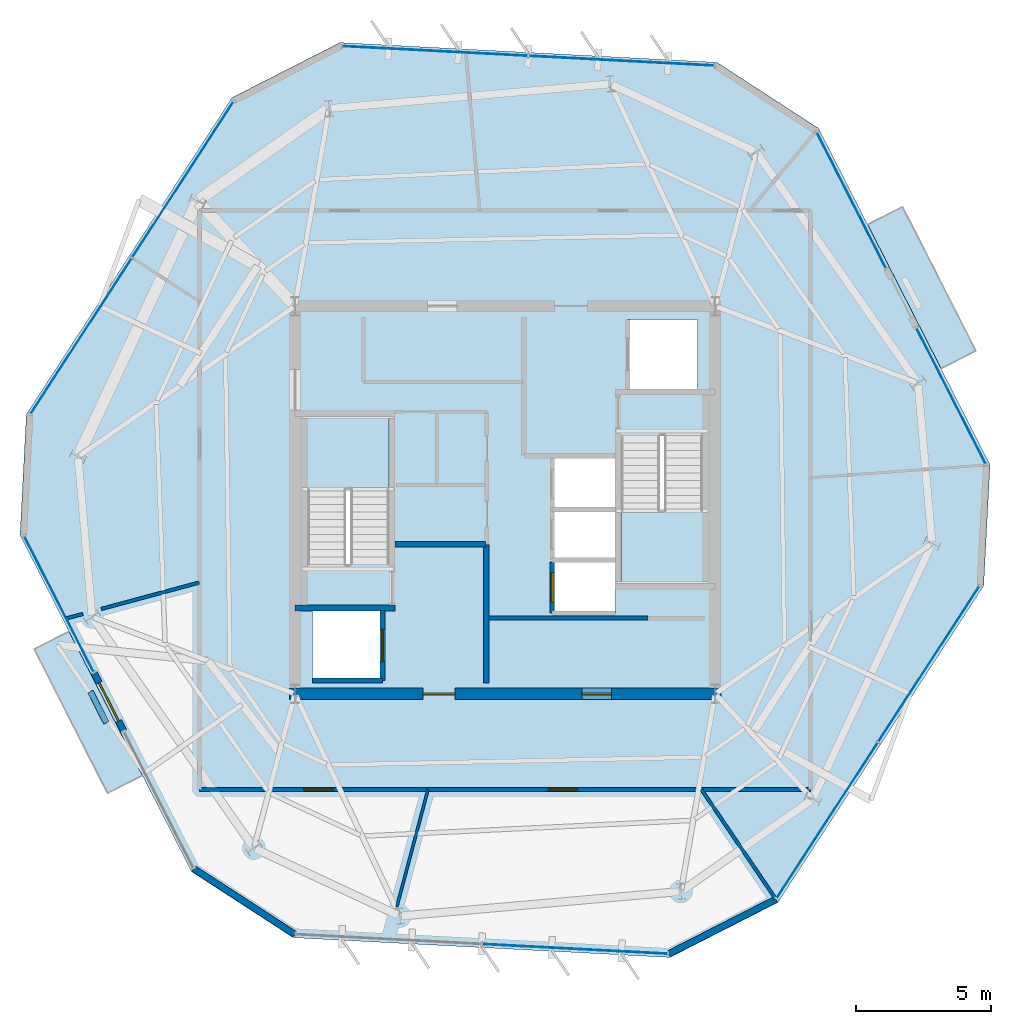
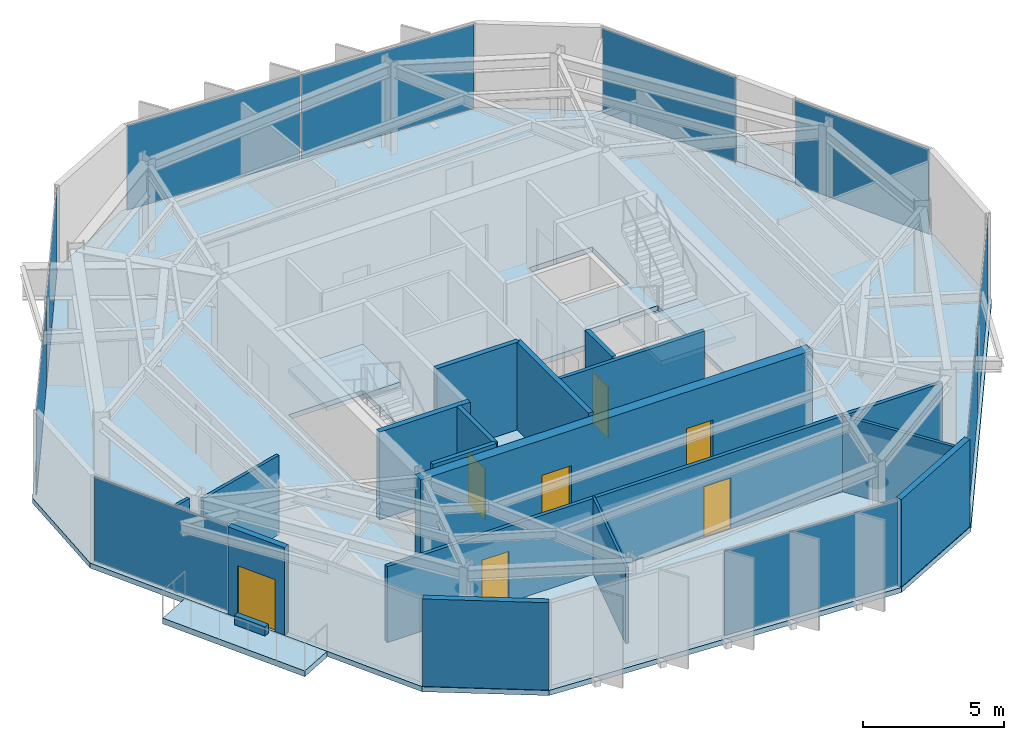
# One storey, part 7 of 11: 17 walls, 10 plates, 7 doors, 5 slabs, 7 openings, 9 elements without a shape of their own.
"""IFC4 building model written with IfcOpenShell, lengths in metres."""

from ifc_helpers import new_model, si_unit, direction, frame, frame_2d, origin, origin_2d, place, context, subcontext, project, spatial, polyline, rectangle, outline, extrude, material, layer, layer_set, type_object, element, fill, aggregate, save


model = new_model("IFC4")

# Units and contexts
model_context = context("Model", 3, precision=1e-05, world=origin(), true_north=direction((0.0, 1.0)))
body_context = subcontext(model_context, "Body", "Model", "MODEL_VIEW")
ifc_project = project(units=[si_unit("LENGTHUNIT", "METRE"), si_unit("AREAUNIT", "SQUARE_METRE"), si_unit("VOLUMEUNIT", "CUBIC_METRE"), si_unit("PLANEANGLEUNIT", "RADIAN"), si_unit("MASSUNIT", "GRAM", prefix="KILO")], contexts=[model_context])

# Site, building, storey
site_placement = place(None, origin())
site = spatial("IfcSite", under=ifc_project, at=site_placement, CompositionType="ELEMENT")
building_placement = place(site_placement, origin())
building = spatial("IfcBuilding", under=site, at=building_placement, Name="Kranzbogen Civic Tower", CompositionType="ELEMENT")
storey_placement = place(building_placement, frame((0.0, 0.0, 254.199951171875)))
storey = spatial("IfcBuildingStorey", under=building, at=storey_placement, Name="L61", CompositionType="ELEMENT", Elevation=254.199951171875)

# Slab
ifc_material_1 = material(Name="Concrete C40/50", Category="concrete")
ifc_layer_1 = layer(ifc_material_1, 0.219970703125, Name="Concrete C40/50")
ifc_layer_set_1 = layer_set([ifc_layer_1], Name="Concrete C40/50")
slab_type_1 = type_object("IfcSlabType", Name="Composite Upper Tower Floor Slab 220 mm", PredefinedType="FLOOR", material=ifc_layer_set_1)
slab_1_placement = place(storey_placement, frame((0.0, 0.0, -0.219970703125)))
element("IfcSlab", 1, at=slab_1_placement, inside=storey, type_object=slab_type_1, Name="L61 tower floor slab", PredefinedType="FLOOR", context=body_context, shape_type="SweptSolid", body=[
    extrude(outline(polyline([(32.87109375, 41.251953125), (18.87109375, 41.986083984375), (14.861083984375, 39.943115234375), (7.22509765625, 28.18505859375), (6.989990234375, 23.69091796875), (13.35498046875, 11.198974609375), (17.12890625, 8.748046875), (31.12890625, 8.013916015625), (35.138916015625, 10.056884765625), (42.77490234375, 21.81494140625), (43.010009765625, 26.30908203125), (36.64501953125, 38.801025390625), (32.87109375, 41.251953125)]), holes=[polyline([(17.85009765625, 20.89990234375), (20.449951171875, 20.89990234375), (20.449951171875, 18.300048828125), (17.85009765625, 18.300048828125), (17.85009765625, 20.89990234375)]), polyline([(29.10009765625, 22.699951171875), (29.10009765625, 20.800048828125), (26.75, 20.800048828125), (26.75, 22.699951171875), (29.10009765625, 22.699951171875)]), polyline([(29.10009765625, 24.64990234375), (29.10009765625, 22.77490234375), (26.75, 22.77490234375), (26.75, 24.64990234375), (26.75, 24.675048828125), (26.75, 26.550048828125), (29.10009765625, 26.550048828125), (29.10009765625, 24.675048828125), (29.10009765625, 24.64990234375)]), polyline([(29.300048828125, 27.340087890625), (30.75, 27.340087890625), (30.75, 27.39990234375), (32.35009765625, 27.39990234375), (32.35009765625, 21.89990234375), (29.300048828125, 21.89990234375), (29.300048828125, 27.340087890625)]), polyline([(20.699951171875, 22.659912109375), (19.25, 22.659912109375), (19.25, 22.60009765625), (17.64990234375, 22.60009765625), (17.64990234375, 28.10009765625), (20.699951171875, 28.10009765625), (20.699951171875, 22.659912109375)]), polyline([(32.14990234375, 31.699951171875), (32.14990234375, 29.10009765625), (29.550048828125, 29.10009765625), (29.550048828125, 31.699951171875), (32.14990234375, 31.699951171875)])]), origin(), (0.0, 0.0, 1.0), 0.219970703125),
])

# Curtain wall, plates
ifc_material_2 = material(Name="Pale Anodised Aluminium", Category="aluminium")
ifc_layer_2 = layer(ifc_material_2, 0.219970703125, Name="Pale Anodised Aluminium")
ifc_layer_set_2 = layer_set([ifc_layer_2], Name="Pale Anodised Aluminium")
curtain_wall_type = type_object("IfcCurtainWallType", Name="Zone 4 Stick Curtain Wall System CW-05", PredefinedType="USERDEFINED", material=ifc_layer_set_2)
curtain_wall_1_placement = place(storey_placement, origin())
curtain_wall_1 = element("IfcCurtainWall", 2, at=curtain_wall_1_placement, inside=storey, type_object=curtain_wall_type, Name="L61 curtain wall CW-L61-F1", ObjectType="STICK CURTAIN WALL", PredefinedType="USERDEFINED")
ifc_material_3 = material(Name="Low-E Triple Glazing Glass", Category="glass")
ifc_layer_3 = layer(ifc_material_3, 0.028076171875, Name="Low-E Triple Glazing Glass")
ifc_layer_set_3 = layer_set([ifc_layer_3], Name="Low-E Triple Glazing Glass")
plate_type = type_object("IfcPlateType", Name="Insulated Low-E Glazing Panel 28 mm", PredefinedType="CURTAIN_PANEL", material=ifc_layer_set_3)
plate_1_placement = place(storey_placement, frame((29.322265625, 41.308837890625, 0.06005859375), z_axis=(0.0, 0.0, 1.0), x_axis=(-0.998629521461, 0.052336209893, 0.0)))
plate_1 = element("IfcPlate", 3, at=plate_1_placement, type_object=plate_type, Name="CW-05 panel 1.1", PredefinedType="CURTAIN_PANEL", context=body_context, shape_type="SweptSolid", body=[
    extrude(rectangle(XDim=6.864990234375, YDim=0.028076171875, at=origin_2d()), origin(), (0.0, 0.0, 1.0), 3.659912109375),
])
plate_2_placement = place(storey_placement, frame((22.40673828125, 41.671142578125, 0.06005859375), z_axis=(0.0, 0.0, 1.0), x_axis=(-0.998629521461, 0.052336209893, 0.0)))
plate_2 = element("IfcPlate", 4, at=plate_2_placement, type_object=plate_type, Name="CW-05 panel 2.1", PredefinedType="CURTAIN_PANEL", context=body_context, shape_type="SweptSolid", body=[
    extrude(rectangle(XDim=6.864990234375, YDim=0.028076171875, at=origin_2d()), origin(), (0.0, 0.0, 1.0), 3.659912109375),
])
aggregate(curtain_wall_1, [plate_1, plate_2])

curtain_wall_2_placement = place(storey_placement, origin())
curtain_wall_2 = element("IfcCurtainWall", 5, at=curtain_wall_2_placement, inside=storey, type_object=curtain_wall_type, Name="L61 curtain wall CW-L61-F2", ObjectType="STICK CURTAIN WALL", PredefinedType="USERDEFINED")
plate_3_placement = place(storey_placement, frame((13.03759765625, 36.897705078125, 0.06005859375), z_axis=(0.0, 0.0, 1.0), x_axis=(-0.544657317977, -0.838658694568, 0.0)))
plate_3 = element("IfcPlate", 6, at=plate_3_placement, type_object=plate_type, Name="CW-05 panel 1.1", PredefinedType="CURTAIN_PANEL", context=body_context, shape_type="SweptSolid", body=[
    extrude(rectangle(XDim=6.86572265625, YDim=0.028076171875, at=origin_2d()), origin(), (0.0, 0.0, 1.0), 3.659912109375),
])
plate_4_placement = place(storey_placement, frame((9.265380859375, 31.08935546875, 0.06005859375), z_axis=(0.0, 0.0, 1.0), x_axis=(-0.544657317977, -0.838658694568, 0.0)))
plate_4 = element("IfcPlate", 7, at=plate_4_placement, type_object=plate_type, Name="CW-05 panel 2.1", PredefinedType="CURTAIN_PANEL", context=body_context, shape_type="SweptSolid", body=[
    extrude(rectangle(XDim=6.86572265625, YDim=0.028076171875, at=origin_2d()), origin(), (0.0, 0.0, 1.0), 3.659912109375),
])
aggregate(curtain_wall_2, [plate_3, plate_4])

# Curtain wall, plate
curtain_wall_3_placement = place(storey_placement, origin())
curtain_wall_3 = element("IfcCurtainWall", 8, at=curtain_wall_3_placement, inside=storey, type_object=curtain_wall_type, Name="L61 curtain wall CW-L61-F3-S1", ObjectType="STICK CURTAIN WALL", PredefinedType="USERDEFINED")
plate_5_placement = place(storey_placement, frame((8.4365234375, 21.136962890625, 0.06005859375), z_axis=(0.0, 0.0, 1.0), x_axis=(0.454011672668, -0.890995735726, 0.0)))
plate_5 = element("IfcPlate", 9, at=plate_5_placement, type_object=plate_type, Name="CW-05 panel 1.1", PredefinedType="CURTAIN_PANEL", context=body_context, shape_type="SweptSolid", body=[
    extrude(rectangle(XDim=5.63525390625, YDim=0.028076171875, at=origin_2d()), origin(), (0.0, 0.0, 1.0), 3.659912109375),
])
aggregate(curtain_wall_3, [plate_5])

curtain_wall_4_placement = place(storey_placement, origin())
curtain_wall_4 = element("IfcCurtainWall", 10, at=curtain_wall_4_placement, inside=storey, type_object=curtain_wall_type, Name="L61 curtain wall CW-L61-F4", ObjectType="STICK CURTAIN WALL", PredefinedType="USERDEFINED")
plate_6_placement = place(storey_placement, frame((27.59326171875, 8.328857421875, 0.06005859375), z_axis=(0.0, 0.0, 1.0), x_axis=(0.998629521461, -0.052336209893, 0.0)))
plate_6 = element("IfcPlate", 11, at=plate_6_placement, type_object=plate_type, Name="CW-05 panel 2.1", PredefinedType="CURTAIN_PANEL", context=body_context, shape_type="SweptSolid", body=[
    extrude(rectangle(XDim=6.864990234375, YDim=0.028076171875, at=origin_2d()), origin(), (0.0, 0.0, 1.0), 3.659912109375),
])
aggregate(curtain_wall_4, [plate_6])

# Curtain wall, plates
curtain_wall_5_placement = place(storey_placement, origin())
curtain_wall_5 = element("IfcCurtainWall", 12, at=curtain_wall_5_placement, inside=storey, type_object=curtain_wall_type, Name="L61 curtain wall CW-L61-F5", ObjectType="STICK CURTAIN WALL", PredefinedType="USERDEFINED")
plate_7_placement = place(storey_placement, frame((36.96240234375, 13.102294921875, 0.06005859375), z_axis=(0.0, 0.0, 1.0), x_axis=(0.544657317977, 0.838658694568, 0.0)))
plate_7 = element("IfcPlate", 13, at=plate_7_placement, type_object=plate_type, Name="CW-05 panel 1.1", PredefinedType="CURTAIN_PANEL", context=body_context, shape_type="SweptSolid", body=[
    extrude(rectangle(XDim=6.86572265625, YDim=0.028076171875, at=origin_2d()), origin(), (0.0, 0.0, 1.0), 3.659912109375),
])
plate_8_placement = place(storey_placement, frame((40.734619140625, 18.91064453125, 0.06005859375), z_axis=(0.0, 0.0, 1.0), x_axis=(0.544657317977, 0.838658694568, 0.0)))
plate_8 = element("IfcPlate", 14, at=plate_8_placement, type_object=plate_type, Name="CW-05 panel 2.1", PredefinedType="CURTAIN_PANEL", context=body_context, shape_type="SweptSolid", body=[
    extrude(rectangle(XDim=6.86572265625, YDim=0.028076171875, at=origin_2d()), origin(), (0.0, 0.0, 1.0), 3.659912109375),
])
aggregate(curtain_wall_5, [plate_7, plate_8])

# Curtain wall, plate
curtain_wall_6_placement = place(storey_placement, origin())
curtain_wall_6 = element("IfcCurtainWall", 15, at=curtain_wall_6_placement, inside=storey, type_object=curtain_wall_type, Name="L61 curtain wall CW-L61-F6-S1", ObjectType="STICK CURTAIN WALL", PredefinedType="USERDEFINED")
plate_9_placement = place(storey_placement, frame((41.5634765625, 28.863037109375, 0.06005859375), z_axis=(0.0, 0.0, 1.0), x_axis=(-0.454011672668, 0.890995735726, 0.0)))
plate_9 = element("IfcPlate", 16, at=plate_9_placement, type_object=plate_type, Name="CW-05 panel 1.1", PredefinedType="CURTAIN_PANEL", context=body_context, shape_type="SweptSolid", body=[
    extrude(rectangle(XDim=5.63525390625, YDim=0.028076171875, at=origin_2d()), origin(), (0.0, 0.0, 1.0), 3.659912109375),
])
aggregate(curtain_wall_6, [plate_9])

curtain_wall_7_placement = place(storey_placement, origin())
curtain_wall_7 = element("IfcCurtainWall", 17, at=curtain_wall_7_placement, inside=storey, type_object=curtain_wall_type, Name="L61 curtain wall CW-L61-F6-S2", ObjectType="STICK CURTAIN WALL", PredefinedType="USERDEFINED")
plate_10_placement = place(storey_placement, frame((37.861572265625, 36.12939453125, 0.06005859375), z_axis=(0.0, 0.0, 1.0), x_axis=(-0.453941395905, 0.891031542138, 0.0)))
plate_10 = element("IfcPlate", 18, at=plate_10_placement, type_object=plate_type, Name="CW-05 panel 1.1", PredefinedType="CURTAIN_PANEL", context=body_context, shape_type="SweptSolid", body=[
    extrude(rectangle(XDim=5.63623046875, YDim=0.028076171875, at=origin_2d()), origin(), (0.0, 0.0, 1.0), 3.659912109375),
])
aggregate(curtain_wall_7, [plate_10])

# Stair, slab
ifc_material_4 = material(Name="Precast concrete C40/50", Category="concrete")
stair_type_1 = type_object("IfcStairType", Name="Tower Core Pressurized Dogleg Stair 1450", PredefinedType="HALF_TURN_STAIR", material=ifc_material_4)
stair_1_placement = place(storey_placement, origin())
stair_1 = element("IfcStair", 19, at=stair_1_placement, inside=storey, type_object=stair_type_1, Name="L61 Tower Core Pressurized Stair 1", PredefinedType="HALF_TURN_STAIR")
ifc_layer_4 = layer(ifc_material_4, 0.199951171875, Name="Precast concrete C40/50")
ifc_layer_set_4 = layer_set([ifc_layer_4], Name="Precast concrete C40/50")
slab_type_2 = type_object("IfcSlabType", Name="Precast Concrete Stair Landing Slab 200 mm", PredefinedType="LANDING", material=ifc_layer_set_4)
slab_2_placement = place(storey_placement, frame((0.0, 0.0, 1.800048828125)))
slab_2 = element("IfcSlab", 20, at=slab_2_placement, type_object=slab_type_2, Name="ST-T1 landing 1", PredefinedType="LANDING", context=body_context, shape_type="SweptSolid", body=[
    extrude(outline(polyline([(20.699951171875, 25.39990234375), (20.699951171875, 28.10009765625), (17.64990234375, 28.10009765625), (17.64990234375, 25.39990234375), (20.699951171875, 25.39990234375)])), origin(), (0.0, 0.0, 1.0), 0.199951171875),
])
aggregate(stair_1, [slab_2])

stair_type_2 = type_object("IfcStairType", Name="Tower Core Secondary Dogleg Stair 1450", PredefinedType="HALF_TURN_STAIR", material=ifc_material_4)
stair_2_placement = place(storey_placement, origin())
stair_2 = element("IfcStair", 21, at=stair_2_placement, inside=storey, type_object=stair_type_2, Name="L61 Tower Core Pressurized Stair 2", PredefinedType="HALF_TURN_STAIR")
slab_3_placement = place(storey_placement, frame((0.0, 0.0, 1.800048828125)))
slab_3 = element("IfcSlab", 22, at=slab_3_placement, type_object=slab_type_2, Name="ST-T2 landing 1", PredefinedType="LANDING", context=body_context, shape_type="SweptSolid", body=[
    extrude(outline(polyline([(29.300048828125, 24.60009765625), (29.300048828125, 21.89990234375), (32.35009765625, 21.89990234375), (32.35009765625, 24.60009765625), (29.300048828125, 24.60009765625)])), origin(), (0.0, 0.0, 1.0), 0.199951171875),
])
aggregate(stair_2, [slab_3])

# Slabs
ifc_layer_5 = layer(ifc_material_1, 0.25, Name="Concrete C40/50")
ifc_layer_set_5 = layer_set([ifc_layer_5], Name="Concrete C40/50")
slab_type_3 = type_object("IfcSlabType", Name="Tree Balcony Cantilevered Slab 250 mm", PredefinedType="FLOOR", material=ifc_layer_set_5)
slab_4_placement = place(storey_placement, frame((0.0, 0.0, -0.25)))
element("IfcSlab", 23, at=slab_4_placement, inside=storey, type_object=slab_type_3, Name="L61 cantilevered tree balcony L61-TB1", PredefinedType="FLOOR", context=body_context, shape_type="SweptSolid", body=[
    extrude(outline(polyline([(8.81005859375, 20.117919921875), (11.533935546875, 14.77197265625), (10.241943359375, 14.114013671875), (7.51806640625, 19.4599609375), (8.81005859375, 20.117919921875)])), origin(), (0.0, 0.0, 1.0), 0.25),
])
slab_5_placement = place(storey_placement, frame((0.0, 0.0, -0.25)))
element("IfcSlab", 24, at=slab_5_placement, inside=storey, type_object=slab_type_3, Name="L61 cantilevered tree balcony L61-TB2", PredefinedType="FLOOR", context=body_context, shape_type="SweptSolid", body=[
    extrude(outline(polyline([(41.18994140625, 29.882080078125), (38.466064453125, 35.22802734375), (39.758056640625, 35.885986328125), (42.48193359375, 30.5400390625), (41.18994140625, 29.882080078125)])), origin(), (0.0, 0.0, 1.0), 0.25),
])

# Wall
ifc_material_5 = material(Name="Double-Stud Acoustic Gypsum Partition")
ifc_layer_6 = layer(ifc_material_5, 0.14990234375, Name="Double-Stud Acoustic Gypsum Partition")
ifc_layer_set_6 = layer_set([ifc_layer_6], Name="Double-Stud Acoustic Gypsum Partition")
wall_type_1 = type_object("IfcWallType", Name="Acoustic Corridor and Clinical Partition 150 mm", PredefinedType="PARTITIONING", material=ifc_layer_set_6)
wall_1_placement = place(storey_placement, frame((24.39990234375, 20.610107421875, 0.0), z_axis=(0.0, 0.0, 1.0), x_axis=(1.0, 0.0, 0.0)))
element("IfcWall", 25, at=wall_1_placement, inside=storey, type_object=wall_type_1, Name="L61 records zone North wall", PredefinedType="PARTITIONING", context=body_context, shape_type="SweptSolid", body=[
    extrude(rectangle(XDim=5.900146484375, YDim=0.14990234375, at=frame_2d((2.9501953125, 0.0))), origin(), (0.0, 0.0, 1.0), 3.780029296875),
])

# Wall, openings, doors
wall_2_placement = place(storey_placement, frame((36.35009765625, 14.25, 0.0), z_axis=(0.0, 0.0, 1.0), x_axis=(-1.0, 0.0, 0.0)))
wall_2 = element("IfcWall", 26, at=wall_2_placement, inside=storey, type_object=wall_type_1, Name="L61 corridor partition 03", PredefinedType="PARTITIONING", context=body_context, shape_type="SweptSolid", body=[
    extrude(rectangle(XDim=22.7001953125, YDim=0.14990234375, at=frame_2d((11.35009765625, 0.0))), origin(), (0.0, 0.0, 1.0), 3.280029296875),
])
opening_1_placement = place(wall_2_placement, frame((17.73095703125, 0.0, 0.0)))
opening_1 = element("IfcOpeningElement", 27, at=opening_1_placement, cuts=wall_2, Name="Opening D-COR60", PredefinedType="OPENING", context=body_context, shape_type="SweptSolid", body=[
    extrude(rectangle(XDim=1.10009765625, YDim=2.199951171875, at=frame_2d((0.550048828125, 1.10009765625))), frame((0.0, 0.0849609375, 0.0), z_axis=(0.0, -1.0, 0.0), x_axis=(1.0, 0.0, 0.0)), (0.0, 0.0, 1.0), 0.169921875),
])
opening_2_placement = place(wall_2_placement, frame((8.654052734375, 0.0, 0.0)))
opening_2 = element("IfcOpeningElement", 28, at=opening_2_placement, cuts=wall_2, Name="Opening D-COR60", PredefinedType="OPENING", context=body_context, shape_type="SweptSolid", body=[
    extrude(rectangle(XDim=1.10009765625, YDim=2.199951171875, at=frame_2d((0.550048828125, 1.10009765625))), frame((0.0, 0.0849609375, 0.0), z_axis=(0.0, -1.0, 0.0), x_axis=(1.0, 0.0, 0.0)), (0.0, 0.0, 1.0), 0.169921875),
])
ifc_material_6 = material(Name="Oak Timber and Fire Core", Category="wood")
door_type_1 = type_object("IfcDoorType", Name="Corridor Acoustic Fire Door 1100x2200", OperationType="NOTDEFINED", PredefinedType="DOOR", material=ifc_material_6)
door_1_placement = place(opening_1_placement, origin())
door_1 = element("IfcDoor", 29, at=door_1_placement, inside=storey, type_object=door_type_1, Name="L61 Public Delegation Reception door", OperationType="SINGLE_SWING_RIGHT", OverallHeight=2.199951171875, OverallWidth=1.10009765625, PredefinedType="DOOR", context=body_context, shape_type="SweptSolid", body=[
    extrude(rectangle(XDim=1.10009765625, YDim=2.199951171875, at=frame_2d((0.550048828125, 1.10009765625))), frame((0.0, 0.02490234375, 0.0), z_axis=(0.0, -1.0, 0.0), x_axis=(1.0, 0.0, 0.0)), (0.0, 0.0, 1.0), 0.050048828125),
])
fill(opening_1, door_1)
door_2_placement = place(opening_2_placement, origin())
door_2 = element("IfcDoor", 30, at=door_2_placement, inside=storey, type_object=door_type_1, Name="L61 Visitor Concierge Foyer door", OperationType="SINGLE_SWING_LEFT", OverallHeight=2.199951171875, OverallWidth=1.10009765625, PredefinedType="DOOR", context=body_context, shape_type="SweptSolid", body=[
    extrude(rectangle(XDim=1.10009765625, YDim=2.199951171875, at=frame_2d((0.550048828125, 1.10009765625))), frame((0.0, 0.02490234375, 0.0), z_axis=(0.0, -1.0, 0.0), x_axis=(1.0, 0.0, 0.0)), (0.0, 0.0, 1.0), 0.050048828125),
])
fill(opening_2, door_2)

# Walls
ifc_material_7 = material(Name="Insulated Metal-Stud Gypsum Partition")
ifc_layer_7 = layer(ifc_material_7, 0.125, Name="Insulated Metal-Stud Gypsum Partition")
ifc_layer_set_7 = layer_set([ifc_layer_7], Name="Insulated Metal-Stud Gypsum Partition")
wall_type_2 = type_object("IfcWallType", Name="Acoustic Inter-Room Partition 125 mm", PredefinedType="PARTITIONING", material=ifc_layer_set_7)
wall_3_placement = place(storey_placement, frame((13.64990234375, 21.93603515625, 0.0), z_axis=(0.0, 0.0, 1.0), x_axis=(-0.965473835876, -0.260500042685, 0.0)))
element("IfcWall", 31, at=wall_3_placement, inside=storey, type_object=wall_type_2, Name="L61 radial room partition 03 part 1", PredefinedType="PARTITIONING", context=body_context, shape_type="SweptSolid", body=[
    extrude(rectangle(XDim=3.774169921875, YDim=0.125, at=frame_2d((1.88720703125, 0.0))), origin(), (0.0, 0.0, 1.0), 3.420166015625),
])
wall_4_placement = place(storey_placement, frame((9.325927734375, 20.76904296875, 0.0), z_axis=(0.0, 0.0, 1.0), x_axis=(-0.965581711412, -0.260099901167, 0.0)))
element("IfcWall", 32, at=wall_4_placement, inside=storey, type_object=wall_type_2, Name="L61 radial room partition 03 part 2", PredefinedType="PARTITIONING", context=body_context, shape_type="SweptSolid", body=[
    extrude(rectangle(XDim=0.623291015625, YDim=0.125, at=frame_2d((0.3115234375, 0.0))), origin(), (0.0, 0.0, 1.0), 3.780029296875),
])
wall_5_placement = place(storey_placement, frame((32.2939453125, 14.25, 0.0), z_axis=(0.0, 0.0, 1.0), x_axis=(0.561508713747, -0.827470823888, 0.0)))
element("IfcWall", 33, at=wall_5_placement, inside=storey, type_object=wall_type_2, Name="L61 radial room partition 05", PredefinedType="PARTITIONING", context=body_context, shape_type="SweptSolid", body=[
    extrude(rectangle(XDim=4.91015625, YDim=0.125, at=frame_2d((2.455078125, 0.0))), origin(), (0.0, 0.0, 1.0), 3.280029296875),
])
ifc_material_8 = material(Name="Architectural Precast Terracotta Concrete C40/50", Category="masonry")
ifc_layer_8 = layer(ifc_material_8, 0.219970703125, Name="Architectural Precast Terracotta Concrete C40/50")
ifc_layer_set_8 = layer_set([ifc_layer_8], Name="Architectural Precast Terracotta Concrete C40/50")
wall_type_3 = type_object("IfcWallType", Name="Architectural Tree Planter Kerb Wall 220 mm", PredefinedType="USERDEFINED", material=ifc_layer_set_8)
wall_6_placement = place(storey_placement, frame((9.60595703125, 17.885986328125, 0.0), z_axis=(0.0, 0.0, 1.0), x_axis=(0.454038340343, -0.890982146565, 0.0)))
element("IfcWall", 34, at=wall_6_placement, inside=storey, type_object=wall_type_3, Name="L61 landscaped tree balcony planter L61-TB1", ObjectType="PLANTER_WALL", PredefinedType="USERDEFINED", context=body_context, shape_type="SweptSolid", body=[
    extrude(rectangle(XDim=1.299560546875, YDim=0.219970703125, at=frame_2d((0.64990234375, 0.0))), origin(), (0.0, 0.0, 1.0), 0.400146484375),
])

# Wall, openings, doors
ifc_material_9 = material(Name="Concrete C45/55", Category="concrete")
ifc_layer_9 = layer(ifc_material_9, 0.419921875, Name="Concrete C45/55")
ifc_layer_set_9 = layer_set([ifc_layer_9], Name="Concrete C45/55")
wall_type_4 = type_object("IfcWallType", Name="Central Core Shear Wall 420 mm", PredefinedType="SHEAR", material=ifc_layer_set_9)
wall_7_placement = place(storey_placement, frame((16.989990234375, 17.800048828125, 0.0), z_axis=(0.0, 0.0, 1.0), x_axis=(1.0, 0.0, 0.0)))
wall_7 = element("IfcWall", 35, at=wall_7_placement, inside=storey, type_object=wall_type_4, Name="L61 central core South shear wall", PredefinedType="SHEAR", context=body_context, shape_type="SweptSolid", body=[
    extrude(rectangle(XDim=16.02001953125, YDim=0.419921875, at=frame_2d((8.010009765625, 0.0))), origin(), (0.0, 0.0, 1.0), 3.780029296875),
])
opening_3_placement = place(wall_7_placement, frame((4.9599609375, 0.0, 0.0)))
opening_3 = element("IfcOpeningElement", 36, at=opening_3_placement, cuts=wall_7, Name="Opening D-EX120", PredefinedType="OPENING", context=body_context, shape_type="SweptSolid", body=[
    extrude(rectangle(XDim=1.199951171875, YDim=2.25, at=frame_2d((0.60009765625, 1.125))), frame((0.0, 0.219970703125, 0.0), z_axis=(0.0, -1.0, 0.0), x_axis=(1.0, 0.0, 0.0)), (0.0, 0.0, 1.0), 0.43994140625),
])
opening_4_placement = place(wall_7_placement, frame((10.860107421875, 0.0, 0.0)))
opening_4 = element("IfcOpeningElement", 37, at=opening_4_placement, cuts=wall_7, Name="Opening D-COR60", PredefinedType="OPENING", context=body_context, shape_type="SweptSolid", body=[
    extrude(rectangle(XDim=1.10009765625, YDim=2.199951171875, at=frame_2d((0.550048828125, 1.10009765625))), frame((0.0, 0.219970703125, 0.0), z_axis=(0.0, -1.0, 0.0), x_axis=(1.0, 0.0, 0.0)), (0.0, 0.0, 1.0), 0.43994140625),
])
door_3_placement = place(opening_4_placement, origin())
door_3 = element("IfcDoor", 38, at=door_3_placement, inside=storey, type_object=door_type_1, Name="L61 REC1 archive room door", OperationType="SINGLE_SWING_RIGHT", OverallHeight=2.199951171875, OverallWidth=1.10009765625, PredefinedType="DOOR", context=body_context, shape_type="SweptSolid", body=[
    extrude(rectangle(XDim=1.10009765625, YDim=2.199951171875, at=frame_2d((0.550048828125, 1.10009765625))), frame((0.0, 0.02490234375, 0.0), z_axis=(0.0, -1.0, 0.0), x_axis=(1.0, 0.0, 0.0)), (0.0, 0.0, 1.0), 0.050048828125),
])
fill(opening_4, door_3)
ifc_material_10 = material(Name="Steel S355", Category="steel")
door_type_2 = type_object("IfcDoorType", Name="Exit Passageway Fire Door 1200x2250", OperationType="NOTDEFINED", PredefinedType="DOOR", material=ifc_material_10)
door_4_placement = place(opening_3_placement, origin())
door_4 = element("IfcDoor", 39, at=door_4_placement, inside=storey, type_object=door_type_2, Name="L61 West firefighting lobby corridor door", OperationType="SINGLE_SWING_LEFT", OverallHeight=2.25, OverallWidth=1.199951171875, PredefinedType="DOOR", context=body_context, shape_type="SweptSolid", body=[
    extrude(rectangle(XDim=1.199951171875, YDim=2.25, at=frame_2d((0.60009765625, 1.125))), frame((0.0, 0.02490234375, 0.0), z_axis=(0.0, -1.0, 0.0), x_axis=(1.0, 0.0, 0.0)), (0.0, 0.0, 1.0), 0.050048828125),
])
fill(opening_3, door_4)

# Walls
ifc_layer_10 = layer(ifc_material_9, 0.219970703125, Name="Concrete C45/55")
ifc_layer_set_10 = layer_set([ifc_layer_10], Name="Concrete C45/55")
wall_type_5 = type_object("IfcWallType", Name="Core Internal Stair Structural Wall 220 mm", PredefinedType="SOLIDWALL", material=ifc_layer_set_10)
wall_8_placement = place(storey_placement, frame((17.199951171875, 20.989990234375, 0.0), z_axis=(0.0, 0.0, 1.0), x_axis=(1.0, 0.0, 0.0)))
element("IfcWall", 40, at=wall_8_placement, inside=storey, type_object=wall_type_5, Name="L61 ST-T1 South structural stair wall", PredefinedType="SOLIDWALL", context=body_context, shape_type="SweptSolid", body=[
    extrude(rectangle(XDim=3.719970703125, YDim=0.219970703125, at=frame_2d((1.85986328125, 0.0))), origin(), (0.0, 0.0, 1.0), 3.780029296875),
])
ifc_material_11 = material(Name="Demountable Aluminium and Gypsum Partition", Category="aluminium")
ifc_layer_11 = layer(ifc_material_11, 0.10009765625, Name="Demountable Aluminium and Gypsum Partition")
ifc_layer_set_11 = layer_set([ifc_layer_11], Name="Demountable Aluminium and Gypsum Partition")
wall_type_6 = type_object("IfcWallType", Name="Demountable Office Partition 100 mm", PredefinedType="MOVABLE", material=ifc_layer_set_11)
wall_9_placement = place(storey_placement, frame((22.14111328125, 14.25, 0.0), z_axis=(0.0, 0.0, 1.0), x_axis=(-0.257137215794, -0.966374902537, 0.0)))
element("IfcWall", 41, at=wall_9_placement, inside=storey, type_object=wall_type_6, Name="L61 radial room partition 04", PredefinedType="MOVABLE", context=body_context, shape_type="SweptSolid", body=[
    extrude(rectangle(XDim=4.51171875, YDim=0.10009765625, at=frame_2d((2.255859375, 0.0))), origin(), (0.0, 0.0, 1.0), 3.280029296875),
])
ifc_material_12 = material(Name="Gypsum Fireboard and Concrete Block", Category="concrete")
ifc_layer_12 = layer(ifc_material_12, 0.199951171875, Name="Gypsum Fireboard and Concrete Block")
ifc_layer_set_12 = layer_set([ifc_layer_12], Name="Gypsum Fireboard and Concrete Block")
wall_type_7 = type_object("IfcWallType", Name="Fire-Rated Exit Passageway and Stair Wall 200 mm", PredefinedType="PARTITIONING", material=ifc_layer_set_12)
wall_10_placement = place(storey_placement, frame((24.300048828125, 18.199951171875, 0.0), z_axis=(0.0, 0.0, 1.0), x_axis=(0.0, 1.0, 0.0)))
element("IfcWall", 42, at=wall_10_placement, inside=storey, type_object=wall_type_7, Name="L61 West firefighting lobby East wall", PredefinedType="PARTITIONING", context=body_context, shape_type="SweptSolid", body=[
    extrude(rectangle(XDim=5.150146484375, YDim=0.199951171875, at=frame_2d((2.5751953125, 0.0))), origin(), (0.0, 0.0, 1.0), 3.780029296875),
])
wall_11_placement = place(storey_placement, frame((20.919921875, 23.35009765625, 0.0), z_axis=(0.0, 0.0, 1.0), x_axis=(1.0, 0.0, 0.0)))
element("IfcWall", 43, at=wall_11_placement, inside=storey, type_object=wall_type_7, Name="L61 West firefighting lobby North wall", PredefinedType="PARTITIONING", context=body_context, shape_type="SweptSolid", body=[
    extrude(rectangle(XDim=3.380126953125, YDim=0.199951171875, at=frame_2d((1.68994140625, 0.0))), origin(), (0.0, 0.0, 1.0), 3.780029296875),
])

# Wall, opening, door
ifc_material_13 = material(Name="Gypsum Fireboard Shaftliner")
ifc_layer_13 = layer(ifc_material_13, 0.175048828125, Name="Gypsum Fireboard Shaftliner")
ifc_layer_set_13 = layer_set([ifc_layer_13], Name="Gypsum Fireboard Shaftliner")
wall_type_8 = type_object("IfcWallType", Name="Fire-Rated Lift and Service Shaft Wall 175 mm", PredefinedType="PARTITIONING", material=ifc_layer_set_13)
wall_12_placement = place(storey_placement, frame((26.75, 20.800048828125, 0.0), z_axis=(0.0, 0.0, 1.0), x_axis=(0.0, 1.0, 0.0)))
wall_12 = element("IfcWall", 44, at=wall_12_placement, inside=storey, type_object=wall_type_8, Name="L61 lift HP-01 landing wall", PredefinedType="PARTITIONING", context=body_context, shape_type="SweptSolid", body=[
    extrude(rectangle(XDim=1.89990234375, YDim=0.175048828125, at=frame_2d((0.949951171875, 0.0))), origin(), (0.0, 0.0, 1.0), 3.780029296875),
])
opening_5_placement = place(wall_12_placement, frame((0.39990234375, 0.0, 0.0)))
opening_5 = element("IfcOpeningElement", 45, at=opening_5_placement, cuts=wall_12, Name="Opening LD-HP-01", PredefinedType="OPENING", context=body_context, shape_type="SweptSolid", body=[
    extrude(rectangle(XDim=1.10009765625, YDim=2.199951171875, at=frame_2d((0.550048828125, 1.10009765625))), frame((0.0, 0.09765625, 0.0), z_axis=(0.0, -1.0, 0.0), x_axis=(1.0, 0.0, 0.0)), (0.0, 0.0, 1.0), 0.195068359375),
])
door_type_3 = type_object("IfcDoorType", Name="Passenger Lift Sliding Landing Door 1100x2200", OperationType="DOUBLE_DOOR_SLIDING", PredefinedType="DOOR", material=ifc_material_2)
door_5_placement = place(opening_5_placement, origin())
door_5 = element("IfcDoor", 46, at=door_5_placement, inside=storey, type_object=door_type_3, Name="L61 lift HP-01 sliding landing door", OperationType="DOUBLE_DOOR_SLIDING", OverallHeight=2.199951171875, OverallWidth=1.10009765625, PredefinedType="DOOR", context=body_context, shape_type="SweptSolid", body=[
    extrude(rectangle(XDim=1.10009765625, YDim=2.199951171875, at=frame_2d((0.550048828125, 1.10009765625))), frame((0.0, 0.02490234375, 0.0), z_axis=(0.0, -1.0, 0.0), x_axis=(1.0, 0.0, 0.0)), (0.0, 0.0, 1.0), 0.050048828125),
])
fill(opening_5, door_5)

wall_13_placement = place(storey_placement, frame((20.449951171875, 18.300048828125, 0.0), z_axis=(0.0, 0.0, 1.0), x_axis=(0.0, 1.0, 0.0)))
wall_13 = element("IfcWall", 47, at=wall_13_placement, inside=storey, type_object=wall_type_8, Name="L61 lift FF-01 landing wall", PredefinedType="PARTITIONING", context=body_context, shape_type="SweptSolid", body=[
    extrude(rectangle(XDim=2.599853515625, YDim=0.175048828125, at=frame_2d((1.2998046875, 0.0))), origin(), (0.0, 0.0, 1.0), 3.780029296875),
])
opening_6_placement = place(wall_13_placement, frame((0.699951171875, 0.0, 0.0)))
opening_6 = element("IfcOpeningElement", 48, at=opening_6_placement, cuts=wall_13, Name="Opening LD-FF-01", PredefinedType="OPENING", context=body_context, shape_type="SweptSolid", body=[
    extrude(rectangle(XDim=1.199951171875, YDim=2.199951171875, at=frame_2d((0.60009765625, 1.10009765625))), frame((0.0, 0.09765625, 0.0), z_axis=(0.0, -1.0, 0.0), x_axis=(1.0, 0.0, 0.0)), (0.0, 0.0, 1.0), 0.195068359375),
])
door_type_4 = type_object("IfcDoorType", Name="Firefighting and Stretcher Lift Sliding Landing Door 1200x2200", OperationType="DOUBLE_DOOR_SLIDING", PredefinedType="DOOR", material=ifc_material_2)
door_6_placement = place(opening_6_placement, origin())
door_6 = element("IfcDoor", 49, at=door_6_placement, inside=storey, type_object=door_type_4, Name="L61 lift FF-01 sliding landing door", OperationType="DOUBLE_DOOR_SLIDING", OverallHeight=2.199951171875, OverallWidth=1.199951171875, PredefinedType="DOOR", context=body_context, shape_type="SweptSolid", body=[
    extrude(rectangle(XDim=1.199951171875, YDim=2.199951171875, at=frame_2d((0.60009765625, 1.10009765625))), frame((0.0, 0.02490234375, 0.0), z_axis=(0.0, -1.0, 0.0), x_axis=(1.0, 0.0, 0.0)), (0.0, 0.0, 1.0), 0.050048828125),
])
fill(opening_6, door_6)

# Wall
wall_14_placement = place(storey_placement, frame((17.85009765625, 18.300048828125, 0.0), z_axis=(0.0, 0.0, 1.0), x_axis=(1.0, 0.0, 0.0)))
element("IfcWall", 50, at=wall_14_placement, inside=storey, type_object=wall_type_8, Name="L61 lift FF-01 side wall", PredefinedType="PARTITIONING", context=body_context, shape_type="SweptSolid", body=[
    extrude(rectangle(XDim=2.599853515625, YDim=0.175048828125, at=frame_2d((1.2998046875, 0.0))), origin(), (0.0, 0.0, 1.0), 3.780029296875),
])

# Wall, opening, door
ifc_layer_14 = layer(ifc_material_2, 0.239990234375, Name="Pale Anodised Aluminium")
ifc_layer_set_14 = layer_set([ifc_layer_14], Name="Pale Anodised Aluminium")
wall_type_9 = type_object("IfcWallType", Name="Insulated Aluminium Facade Portal Wall 240 mm", PredefinedType="STANDARD", material=ifc_layer_set_14)
wall_15_placement = place(storey_placement, frame((9.742919921875, 18.572998046875, 0.0), z_axis=(0.0, 0.0, 1.0), x_axis=(0.453916635775, -0.891044155902, 0.0)))
wall_15 = element("IfcWall", 51, at=wall_15_placement, inside=storey, type_object=wall_type_9, Name="L61 exterior entrance portal wall 1", PredefinedType="STANDARD", context=body_context, shape_type="SweptSolid", body=[
    extrude(rectangle(XDim=2.3994140625, YDim=0.239990234375, at=frame_2d((1.19970703125, 0.0))), origin(), (0.0, 0.0, 1.0), 3.780029296875),
])
opening_7_placement = place(wall_15_placement, frame((0.39990234375, 0.0, 0.0)))
opening_7 = element("IfcOpeningElement", 52, at=opening_7_placement, cuts=wall_15, Name="Opening D-TER", PredefinedType="OPENING", context=body_context, shape_type="SweptSolid", body=[
    extrude(rectangle(XDim=1.60009765625, YDim=2.25, at=frame_2d((0.800048828125, 1.125))), frame((0.0, 0.1298828125, 0.0), z_axis=(0.0, -1.0, 0.0), x_axis=(1.0, 0.0, 0.0)), (0.0, 0.0, 1.0), 0.260009765625),
])
ifc_material_14 = material(Name="Anodised Bronze and Triple Glass", Category="glass")
door_type_5 = type_object("IfcDoorType", Name="Glazed Terrace and Balcony Double Door 1600x2250", OperationType="DOUBLE_DOOR_SINGLE_SWING", PredefinedType="DOOR", material=ifc_material_14)
door_7_placement = place(opening_7_placement, frame((1.60009765625, 0.0, 0.0), z_axis=(0.0, 0.0, 1.0), x_axis=(-1.0, 0.0, 0.0)))
door_7 = element("IfcDoor", 53, at=door_7_placement, inside=storey, type_object=door_type_5, Name="L61 tree balcony access door L61-TB1", OperationType="DOUBLE_DOOR_SINGLE_SWING", OverallHeight=2.25, OverallWidth=1.60009765625, PredefinedType="DOOR", context=body_context, shape_type="SweptSolid", body=[
    extrude(rectangle(XDim=1.60009765625, YDim=2.25, at=frame_2d((0.800048828125, 1.125))), frame((0.0, 0.02490234375, 0.0), z_axis=(0.0, -1.0, 0.0), x_axis=(1.0, 0.0, 0.0)), (0.0, 0.0, 1.0), 0.050048828125),
])
fill(opening_7, door_7)

# Walls
wall_16_placement = place(storey_placement, frame((13.445068359375, 11.305908203125, 0.0), z_axis=(0.0, 0.0, 1.0), x_axis=(0.838677137994, -0.544628917893, 0.0)))
element("IfcWall", 54, at=wall_16_placement, inside=storey, type_object=wall_type_9, Name="L61 chamfered corner facade spandrel 3", PredefinedType="STANDARD", context=body_context, shape_type="SweptSolid", body=[
    extrude(rectangle(XDim=4.46533203125, YDim=0.239990234375, at=frame_2d((2.232666015625, 0.0))), origin(), (0.0, 0.0, 1.0), 3.780029296875),
])
wall_17_placement = place(storey_placement, frame((31.0810546875, 8.14599609375, 0.0), z_axis=(0.0, 0.0, 1.0), x_axis=(0.891034072926, 0.453936428243, 0.0)))
element("IfcWall", 55, at=wall_17_placement, inside=storey, type_object=wall_type_9, Name="L61 chamfered corner facade spandrel 4", PredefinedType="STANDARD", context=body_context, shape_type="SweptSolid", body=[
    extrude(rectangle(XDim=4.465576171875, YDim=0.239990234375, at=frame_2d((2.23291015625, 0.0))), origin(), (0.0, 0.0, 1.0), 3.780029296875),
])

save(model, "model.ifc")
